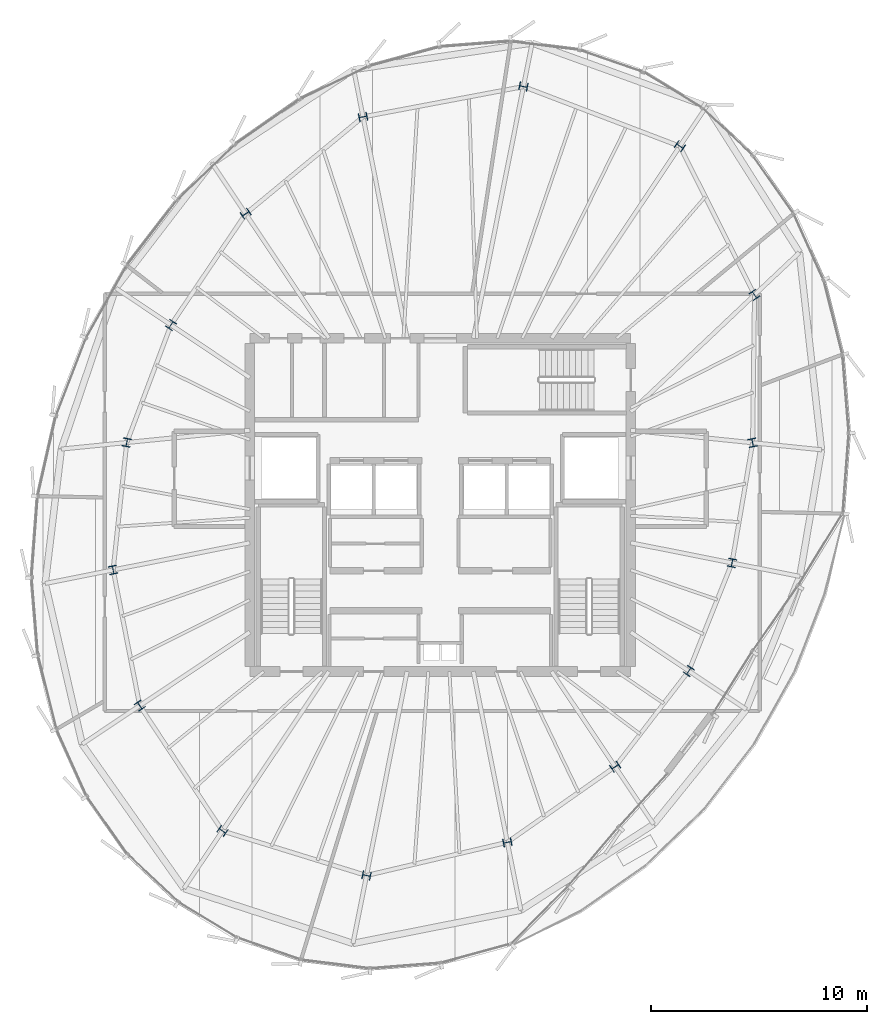
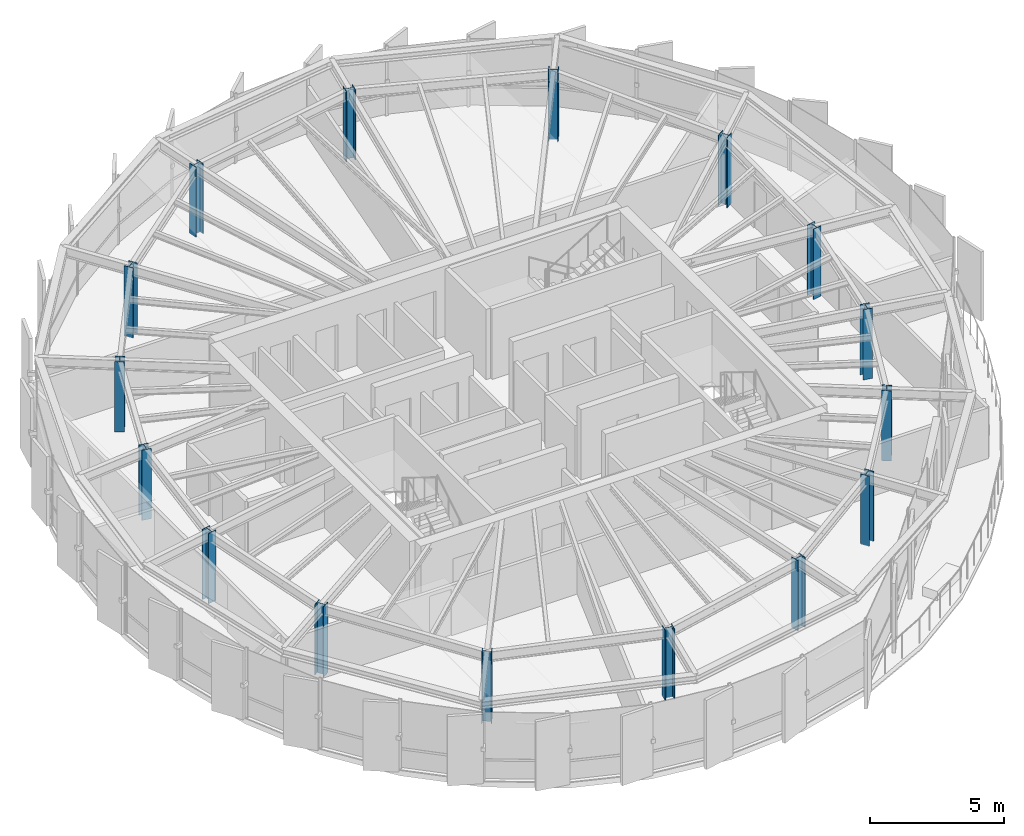
# One storey, part 1 of 30: 16 columns.
"""IFC4 building model written with IfcOpenShell, lengths in metres."""

from ifc_helpers import new_model, si_unit, direction, frame, origin, origin_2d, place, context, subcontext, project, spatial, i_section, extrude, source, transform, mapped, material, material_profile, profile_set, type_object, element, save


model = new_model("IFC4")

# Units and contexts
model_context = context("Model", 3, precision=1e-05, world=origin(), true_north=direction((0.0, 1.0)))
body_context = subcontext(model_context, "Body", "Model", "MODEL_VIEW")
ifc_project = project(units=[si_unit("LENGTHUNIT", "METRE"), si_unit("AREAUNIT", "SQUARE_METRE"), si_unit("VOLUMEUNIT", "CUBIC_METRE"), si_unit("PLANEANGLEUNIT", "RADIAN"), si_unit("MASSUNIT", "GRAM", prefix="KILO"), si_unit("THERMODYNAMICTEMPERATUREUNIT", "KELVIN")], contexts=[model_context])

# Site, building, storey
site_placement = place(None, origin())
site = spatial("IfcSite", under=ifc_project, at=site_placement, CompositionType="ELEMENT")
building_placement = place(site_placement, origin())
building = spatial("IfcBuilding", under=site, at=building_placement, Name="Kethvar Cultural Tower", CompositionType="ELEMENT")
storey_placement = place(building_placement, frame((0.0, 0.0, 293.949951171875)))
storey = spatial("IfcBuildingStorey", under=building, at=storey_placement, Name="L78", CompositionType="ELEMENT", Elevation=293.949951171875)

# Columns
ifc_material = material(Name="Steel S355J2", Category="steel")
ifc_material_profile = material_profile(ifc_material, i_section(OverallWidth=0.3740234375, OverallDepth=0.383056640625, WebThickness=0.0166015625, FlangeThickness=0.026123046875, FilletRadius=0.014892578125, at=origin_2d()), Name="Steel S355J2 — HD360x300")
ifc_profile_set = profile_set([ifc_material_profile], Name="Steel S355J2 — HD360x300")
column_type = type_object("IfcColumnType", Name="COL-HD300", PredefinedType="COLUMN", material=ifc_profile_set)
shared_shape = source(origin(), body_context, "Body", "SweptSolid", [
    extrude(i_section(OverallWidth=0.3740234375, OverallDepth=0.383056640625, WebThickness=0.0166015625, FlangeThickness=0.026123046875, FilletRadius=0.014892578125, at=origin_2d()), origin(), (0.0, 0.0, 1.0), 3.2099609375),
])
for number, where, z_axis, x_axis, name in (
    (1, (61.237060546875, 30.671630859375, 0.0), (0.0, 0.0, 1.0), (0.980785280403, 0.195090322016, 0.0), "L78 Mega-Column MC-01"),
    (2, (61.32568359375, 37.505859375, 0.0), (0.0, 0.0, 1.0), (0.831469612303, 0.55557023302, 0.0), "L78 Mega-Column MC-02"),
    (3, (57.875244140625, 44.375, 0.0), (0.0, 0.0, 1.0), (0.55557023302, 0.831469612303, 0.0), "L78 Mega-Column MC-03"),
    (4, (50.645263671875, 47.131591796875, 0.0), (0.0, 0.0, 1.0), (0.195090322016, 0.980785280403, 0.0), "L78 Mega-Column MC-04"),
    (5, (43.23291015625, 45.732421875, 0.0), (0.0, 0.0, 1.0), (-0.195090322016, 0.980785280403, 0.0), "L78 Mega-Column MC-05"),
    (6, (37.8095703125, 41.255126953125, 0.0), (0.0, 0.0, 1.0), (-0.55557023302, 0.831469612303, 0.0), "L78 Mega-Column MC-06"),
    (7, (34.35595703125, 36.114990234375, 0.0), (0.0, 0.0, 1.0), (-0.831469612303, 0.55557023302, 0.0), "L78 Mega-Column MC-07"),
    (8, (32.3125, 30.681884765625, 0.0), (0.0, 0.0, 1.0), (-0.980785280403, 0.195090322016, 0.0), "L78 Mega-Column MC-08"),
    (9, (31.68310546875, 24.79296875, 0.0), (0.0, 0.0, 1.0), (-0.980785280403, -0.195090322016, 0.0), "L78 Mega-Column MC-09"),
    (10, (32.912841796875, 18.52099609375, 0.0), (0.0, 0.0, 1.0), (-0.831469612303, -0.55557023302, 0.0), "L78 Mega-Column MC-10"),
    (11, (36.731201171875, 12.73095703125, 0.0), (0.0, 0.0, 1.0), (-0.55557023302, -0.831469612303, 0.0), "L78 Mega-Column MC-11"),
    (12, (43.392822265625, 10.67138671875, 0.0), (0.0, 0.0, 1.0), (-0.195090322016, -0.980785280403, 0.0), "L78 Mega-Column MC-12"),
    (13, (49.901611328125, 12.206787109375, 0.0), (0.0, 0.0, 1.0), (0.195090322016, -0.980785280403, 0.0), "L78 Mega-Column MC-13"),
    (14, (54.885009765625, 15.7001953125, 0.0), (0.0, 0.0, 1.0), (0.55557023302, -0.831469612303, 0.0), "L78 Mega-Column MC-14"),
    (15, (58.287109375, 20.12451171875, 0.0), (0.0, 0.0, 1.0), (0.831469612303, -0.55557023302, 0.0), "L78 Mega-Column MC-15"),
    (16, (60.28369140625, 25.117919921875, 0.0), (0.0, 0.0, 1.0), (0.980785280403, -0.195090322016, 0.0), "L78 Mega-Column MC-16"),
):
    element("IfcColumn", number, at=place(storey_placement, frame(where, z_axis=z_axis, x_axis=x_axis)), inside=storey, type_object=column_type, Name=name, PredefinedType="COLUMN", context=body_context, shape_type="MappedRepresentation", body=[
        mapped(shared_shape, transform((0.0, 0.0, 0.0), scale=1.0)),
    ])

save(model, "model.ifc")
